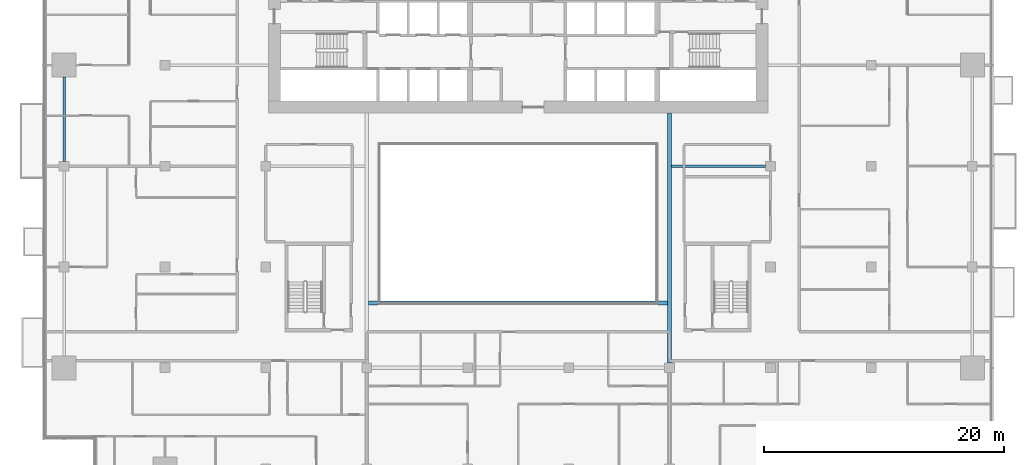
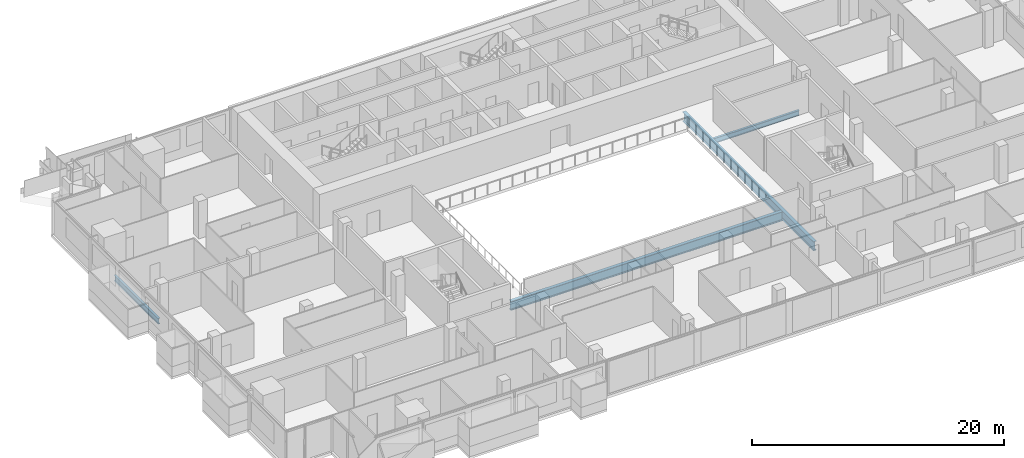
# One storey, part 7 of 29: 4 beams.
"""IFC4 building model written with IfcOpenShell, lengths in metres."""

from ifc_helpers import new_model, si_unit, direction, frame, origin, origin_2d, place, context, subcontext, project, spatial, i_section, extrude, material, material_profile, profile_set, type_object, element, save


model = new_model("IFC4")

# Units and contexts
model_context = context("Model", 3, precision=1e-05, world=origin(), true_north=direction((0.0, 1.0)))
body_context = subcontext(model_context, "Body", "Model", "MODEL_VIEW")
ifc_project = project(units=[si_unit("LENGTHUNIT", "METRE"), si_unit("AREAUNIT", "SQUARE_METRE"), si_unit("VOLUMEUNIT", "CUBIC_METRE"), si_unit("PLANEANGLEUNIT", "RADIAN"), si_unit("MASSUNIT", "GRAM", prefix="KILO")], contexts=[model_context])

# Site, building, storey
site_placement = place(None, origin())
site = spatial("IfcSite", under=ifc_project, at=site_placement, CompositionType="ELEMENT")
building_placement = place(site_placement, origin())
building = spatial("IfcBuilding", under=site, at=building_placement, Name="Saffron Gate Tower", CompositionType="ELEMENT")
storey_placement = place(building_placement, frame((0.0, 0.0, 106.050048828125)))
storey = spatial("IfcBuildingStorey", under=building, at=storey_placement, Name="L24", CompositionType="ELEMENT", Elevation=106.050048828125)

# Beams
ifc_material = material(Name="Structural steel S355", Category="steel")
ifc_material_profile_1 = material_profile(ifc_material, i_section(OverallWidth=0.199951171875, OverallDepth=0.5, WebThickness=0.01025390625, FlangeThickness=0.01611328125, FilletRadius=0.02099609375, at=origin_2d()))
ifc_profile_set_1 = profile_set([ifc_material_profile_1], Name="Structural steel S355")
beam_type_1 = type_object("IfcBeamType", Name="B10 IPE 500", PredefinedType="BEAM", material=ifc_profile_set_1)
beam_1_placement = place(storey_placement, frame((108.199951171875, 57.0, -0.530029296875), z_axis=(-1.0, 0.0, 0.0), x_axis=(0.0, -1.0, 0.0)))
element("IfcBeam", 1, at=beam_1_placement, inside=storey, type_object=beam_type_1, Name="B10 CORE TIE BEAM", PredefinedType="BEAM", context=body_context, shape_type="SweptSolid", body=[
    extrude(i_section(OverallWidth=0.199951171875, OverallDepth=0.5, WebThickness=0.01025390625, FlangeThickness=0.01611328125, FilletRadius=0.02099609375, at=origin_2d()), origin(), (0.0, 0.0, 1.0), 7.849853515625),
])
ifc_material_profile_2 = material_profile(ifc_material, i_section(OverallWidth=0.2099609375, OverallDepth=0.550048828125, WebThickness=0.010986328125, FlangeThickness=0.01708984375, FilletRadius=0.02392578125, at=origin_2d()))
ifc_profile_set_2 = profile_set([ifc_material_profile_2], Name="Structural steel S355")
beam_type_2 = type_object("IfcBeamType", Name="B13 IPE 550", PredefinedType="SPANDREL", material=ifc_profile_set_2)
beam_2_placement = place(storey_placement, frame((49.800048828125, 57.39990234375, -0.554931640625), z_axis=(0.0, 1.0, 0.0), x_axis=(-1.0, 0.0, 0.0)))
element("IfcBeam", 2, at=beam_2_placement, inside=storey, type_object=beam_type_2, Name="B13 SPANDREL BEAM", PredefinedType="SPANDREL", context=body_context, shape_type="SweptSolid", body=[
    extrude(i_section(OverallWidth=0.2099609375, OverallDepth=0.550048828125, WebThickness=0.010986328125, FlangeThickness=0.01708984375, FilletRadius=0.02392578125, at=origin_2d()), origin(), (0.0, 0.0, 1.0), 7.0),
])
ifc_material_profile_3 = material_profile(ifc_material, i_section(OverallWidth=0.300048828125, OverallDepth=0.889892578125, WebThickness=0.01611328125, FlangeThickness=0.030029296875, FilletRadius=0.030029296875, at=origin_2d()))
ifc_profile_set_3 = profile_set([ifc_material_profile_3], Name="Structural steel S355")
beam_type_3 = type_object("IfcBeamType", Name="B19 HEA 900", PredefinedType="BEAM", material=ifc_profile_set_3)
beam_3_placement = place(storey_placement, frame((100.199951171875, 40.60009765625, -0.72509765625), z_axis=(0.0, 1.0, 0.0), x_axis=(-1.0, 0.0, 0.0)))
element("IfcBeam", 3, at=beam_3_placement, inside=storey, type_object=beam_type_3, Name="B19 ATRIUM GIRDER", PredefinedType="BEAM", context=body_context, shape_type="SweptSolid", body=[
    extrude(i_section(OverallWidth=0.300048828125, OverallDepth=0.889892578125, WebThickness=0.01611328125, FlangeThickness=0.030029296875, FilletRadius=0.030029296875, at=origin_2d()), origin(), (0.0, 0.0, 1.0), 20.7998046875),
])
beam_4_placement = place(storey_placement, frame((75.14990234375, 45.60009765625, -0.72509765625), z_axis=(1.0, 0.0, 0.0), x_axis=(0.0, 1.0, 0.0)))
element("IfcBeam", 4, at=beam_4_placement, inside=storey, type_object=beam_type_3, Name="B19 ATRIUM GIRDER", PredefinedType="BEAM", context=body_context, shape_type="SweptSolid", body=[
    extrude(i_section(OverallWidth=0.300048828125, OverallDepth=0.889892578125, WebThickness=0.01611328125, FlangeThickness=0.030029296875, FilletRadius=0.030029296875, at=origin_2d()), origin(), (0.0, 0.0, 1.0), 24.900146484375),
])

save(model, "model.ifc")
